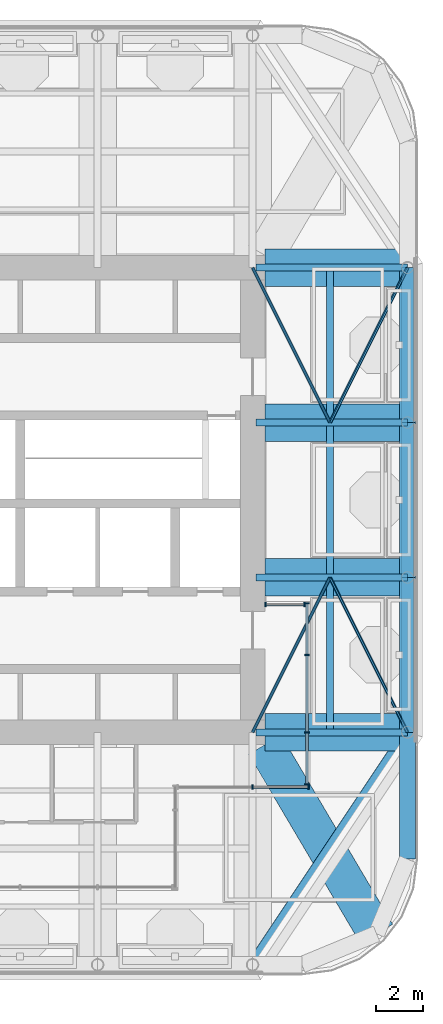
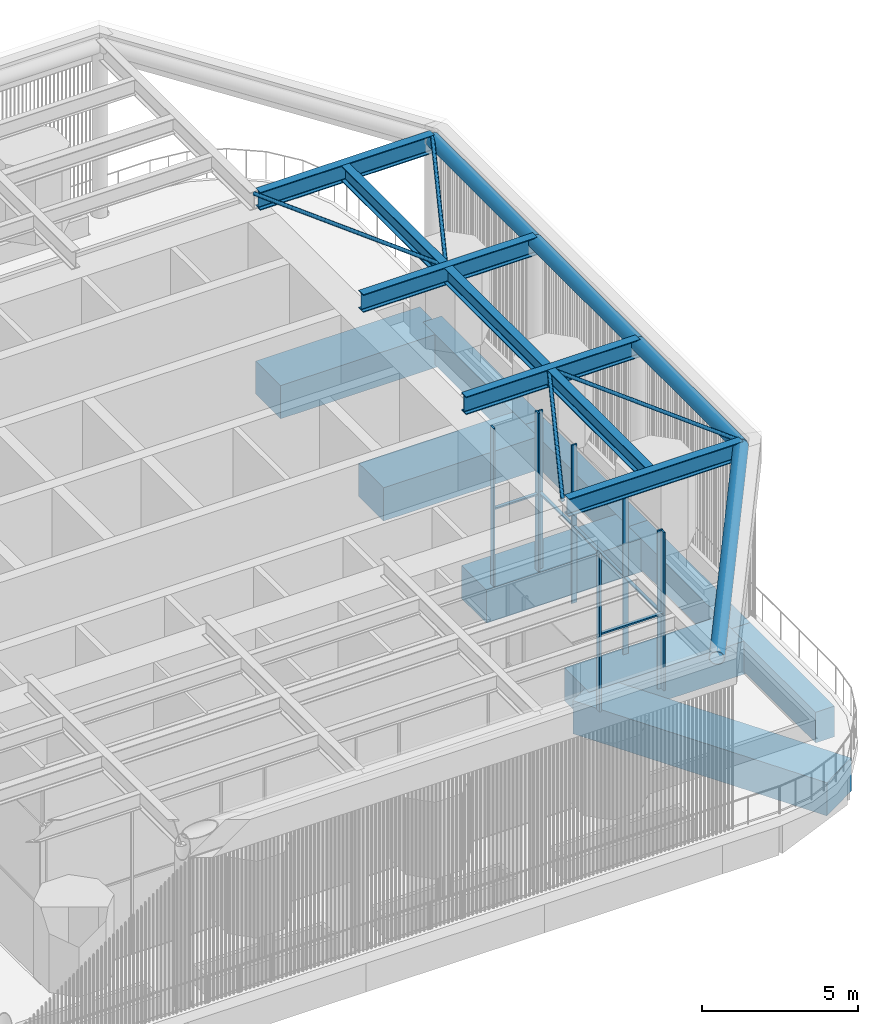
# One storey, part 4 of 22: 20 beams, 17 members, 3 elements without a shape of their own.
"""IFC4 building model written with IfcOpenShell, lengths in metres."""

from ifc_helpers import new_model, si_unit, direction, frame, origin, origin_2d, place, context, subcontext, project, spatial, rectangle, hollow_circle, i_section, extrude, material, material_profile, profile_set, type_object, element, aggregate, save


model = new_model("IFC4")

# Units and contexts
model_context = context("Model", 3, precision=1e-05, world=origin(), true_north=direction((0.0, 1.0)))
body_context = subcontext(model_context, "Body", "Model", "MODEL_VIEW")
ifc_project = project(units=[si_unit("LENGTHUNIT", "METRE"), si_unit("AREAUNIT", "SQUARE_METRE"), si_unit("VOLUMEUNIT", "CUBIC_METRE"), si_unit("PLANEANGLEUNIT", "RADIAN"), si_unit("MASSUNIT", "GRAM", prefix="KILO")], contexts=[model_context])

# Site, building, storey
site_placement = place(None, origin())
site = spatial("IfcSite", under=ifc_project, at=site_placement, CompositionType="ELEMENT")
building_placement = place(site_placement, origin())
building = spatial("IfcBuilding", under=site, at=building_placement, Name="Cobogo Forest Laboratory Tower", CompositionType="ELEMENT")
storey_placement = place(building_placement, frame((0.0, 0.0, 292.800048828125)))
storey = spatial("IfcBuildingStorey", under=building, at=storey_placement, Name="RF", CompositionType="ELEMENT", Elevation=292.800048828125)

# Beams
ifc_material_1 = material(Name="Steel S355", Category="steel")
ifc_material_profile_1 = material_profile(ifc_material_1, i_section(OverallWidth=0.300048828125, OverallDepth=0.699951171875, WebThickness=0.01708984375, FlangeThickness=0.031982421875, FilletRadius=0.027099609375, at=origin_2d()), Name="HEB 700")
ifc_profile_set_1 = profile_set([ifc_material_profile_1], Name="Steel S355")
beam_type_1 = type_object("IfcBeamType", Name="Crown frame girder HEB 700", PredefinedType="BEAM", material=ifc_profile_set_1)
for number, where, z_axis, x_axis, name in (
    (1, (39.75, 13.199951171875, 6.550048828125), (1.0, 0.0, 0.0), (0.0, 1.0, 0.0), "SG1 C-E"),
    (2, (39.75, 19.800048828125, 6.550048828125), (1.0, 0.0, 0.0), (0.0, 1.0, 0.0), "SG1 D-E"),
    (3, (39.75, 26.39990234375, 6.550048828125), (1.0, 0.0, 0.0), (0.0, 1.0, 0.0), "SG1 E-E"),
    (4, (39.75, 33.0, 6.550048828125), (1.0, 0.0, 0.0), (0.0, 1.0, 0.0), "SG1 F-E"),
):
    element("IfcBeam", number, at=place(storey_placement, frame(where, z_axis=z_axis, x_axis=x_axis)), inside=storey, type_object=beam_type_1, Name=name, PredefinedType="BEAM", context=body_context, shape_type="SweptSolid", body=[
        extrude(i_section(OverallWidth=0.300048828125, OverallDepth=0.699951171875, WebThickness=0.01708984375, FlangeThickness=0.031982421875, FilletRadius=0.027099609375, at=origin_2d()), origin(), (0.0, 0.0, 1.0), 6.449951171875),
    ])

# Members
ifc_material_profile_2 = material_profile(ifc_material_1, hollow_circle(Radius=0.06982421875, WallThickness=0.00634765625, at=origin_2d()), Name="CHS 139.7x6.3")
ifc_profile_set_2 = profile_set([ifc_material_profile_2], Name="Steel S355")
member_type_1 = type_object("IfcMemberType", Name="Crown frame plan brace CHS 139.7x6.3", PredefinedType="BRACE", material=ifc_profile_set_2)
member_1_placement = place(storey_placement, frame((46.199951171875, 13.199951171875, 6.830078125), z_axis=(-0.4472135955, 0.894427191, 0.0), x_axis=(-0.894427191, -0.4472135955, 0.0)))
element("IfcMember", 5, at=member_1_placement, inside=storey, type_object=member_type_1, Name="SX1 canopy brace E1-1", PredefinedType="BRACE", context=body_context, shape_type="SweptSolid", body=[
    extrude(hollow_circle(Radius=0.06982421875, WallThickness=0.00634765625, at=origin_2d()), origin(), (0.0, 0.0, 1.0), 7.379150390625),
])
member_2_placement = place(storey_placement, frame((39.60009765625, 13.199951171875, 6.830078125), z_axis=(0.447187126696, 0.894440424912, 0.0), x_axis=(-0.894440424912, 0.447187126696, 0.0)))
element("IfcMember", 6, at=member_2_placement, inside=storey, type_object=member_type_1, Name="SX1 canopy brace E1-2", PredefinedType="BRACE", context=body_context, shape_type="SweptSolid", body=[
    extrude(hollow_circle(Radius=0.06982421875, WallThickness=0.00634765625, at=origin_2d()), origin(), (0.0, 0.0, 1.0), 7.37890625),
])
member_3_placement = place(storey_placement, frame((46.199951171875, 33.0, 6.830078125), z_axis=(-0.4472135955, -0.894427191, 0.0), x_axis=(0.894427191, -0.4472135955, 0.0)))
element("IfcMember", 7, at=member_3_placement, inside=storey, type_object=member_type_1, Name="SX1 canopy brace E2-1", PredefinedType="BRACE", context=body_context, shape_type="SweptSolid", body=[
    extrude(hollow_circle(Radius=0.06982421875, WallThickness=0.00634765625, at=origin_2d()), origin(), (0.0, 0.0, 1.0), 7.379150390625),
])
member_4_placement = place(storey_placement, frame((39.60009765625, 33.0, 6.830078125), z_axis=(0.447187126696, -0.894440424912, 0.0), x_axis=(0.894440424912, 0.447187126696, 0.0)))
element("IfcMember", 8, at=member_4_placement, inside=storey, type_object=member_type_1, Name="SX1 canopy brace E2-2", PredefinedType="BRACE", context=body_context, shape_type="SweptSolid", body=[
    extrude(hollow_circle(Radius=0.06982421875, WallThickness=0.00634765625, at=origin_2d()), origin(), (0.0, 0.0, 1.0), 7.37890625),
])

# Beams
ifc_material_profile_3 = material_profile(ifc_material_1, i_section(OverallWidth=0.300048828125, OverallDepth=0.60009765625, WebThickness=0.015380859375, FlangeThickness=0.030029296875, FilletRadius=0.027099609375, at=origin_2d()), Name="HEB 600")
ifc_profile_set_3 = profile_set([ifc_material_profile_3], Name="Steel S355")
beam_type_2 = type_object("IfcBeamType", Name="Crown frame purlin HEB 600", PredefinedType="BEAM", material=ifc_profile_set_3)
beam_1_placement = place(storey_placement, frame((42.89990234375, 13.35009765625, 6.599853515625), z_axis=(0.0, 1.0, 0.0), x_axis=(-1.0, 0.0, 0.0)))
element("IfcBeam", 9, at=beam_1_placement, inside=storey, type_object=beam_type_2, Name="SP1 E1", PredefinedType="BEAM", context=body_context, shape_type="SweptSolid", body=[
    extrude(i_section(OverallWidth=0.300048828125, OverallDepth=0.60009765625, WebThickness=0.015380859375, FlangeThickness=0.030029296875, FilletRadius=0.027099609375, at=origin_2d()), origin(), (0.0, 0.0, 1.0), 6.2998046875),
])
for number, where, z_axis, x_axis, name in (
    (10, (42.89990234375, 19.949951171875, 6.599853515625), (0.0, 1.0, 0.0), (-1.0, 0.0, 0.0), "SP1 E2"),
    (11, (42.89990234375, 26.550048828125, 6.599853515625), (0.0, 1.0, 0.0), (-1.0, 0.0, 0.0), "SP1 E3"),
):
    element("IfcBeam", number, at=place(storey_placement, frame(where, z_axis=z_axis, x_axis=x_axis)), inside=storey, type_object=beam_type_2, Name=name, PredefinedType="BEAM", context=body_context, shape_type="SweptSolid", body=[
        extrude(i_section(OverallWidth=0.300048828125, OverallDepth=0.60009765625, WebThickness=0.015380859375, FlangeThickness=0.030029296875, FilletRadius=0.027099609375, at=origin_2d()), origin(), (0.0, 0.0, 1.0), 6.300048828125),
    ])
ifc_material_profile_4 = material_profile(ifc_material_1, hollow_circle(Radius=0.25390625, WallThickness=0.01611328125, at=origin_2d()), Name="CHS 508x16")
ifc_profile_set_4 = profile_set([ifc_material_profile_4], Name="Steel S355")
beam_type_3 = type_object("IfcBeamType", Name="Crown frame ring CHS 508x16", PredefinedType="BEAM", material=ifc_profile_set_4)
beam_2_placement = place(storey_placement, frame((46.199951171875, 13.199951171875, 6.64599609375), z_axis=(0.0, 1.0, 0.0), x_axis=(-1.0, 0.0, 0.0)))
element("IfcBeam", 12, at=beam_2_placement, inside=storey, type_object=beam_type_3, Name="SE1 E1", PredefinedType="BEAM", context=body_context, shape_type="SweptSolid", body=[
    extrude(hollow_circle(Radius=0.25390625, WallThickness=0.01611328125, at=origin_2d()), origin(), (0.0, 0.0, 1.0), 6.60009765625),
])
beam_3_placement = place(storey_placement, frame((46.199951171875, 19.800048828125, 6.64599609375), z_axis=(0.0, 1.0, 0.0), x_axis=(-1.0, 0.0, 0.0)))
element("IfcBeam", 13, at=beam_3_placement, inside=storey, type_object=beam_type_3, Name="SE1 E2", PredefinedType="BEAM", context=body_context, shape_type="SweptSolid", body=[
    extrude(hollow_circle(Radius=0.25390625, WallThickness=0.01611328125, at=origin_2d()), origin(), (0.0, 0.0, 1.0), 6.599853515625),
])
beam_4_placement = place(storey_placement, frame((46.199951171875, 26.39990234375, 6.64599609375), z_axis=(0.0, 1.0, 0.0), x_axis=(-1.0, 0.0, 0.0)))
element("IfcBeam", 14, at=beam_4_placement, inside=storey, type_object=beam_type_3, Name="SE1 E3", PredefinedType="BEAM", context=body_context, shape_type="SweptSolid", body=[
    extrude(hollow_circle(Radius=0.25390625, WallThickness=0.01611328125, at=origin_2d()), origin(), (0.0, 0.0, 1.0), 6.60009765625),
])
beam_5_placement = place(storey_placement, frame((39.60009765625, 3.300048828125, 6.64599609375), z_axis=(0.554695461017, 0.832053451124, 0.0), x_axis=(-0.832053451124, 0.554695461017, 0.0)))
element("IfcBeam", 15, at=beam_5_placement, inside=storey, type_object=beam_type_3, Name="SE1 SE", PredefinedType="BEAM", context=body_context, shape_type="SweptSolid", body=[
    extrude(hollow_circle(Radius=0.25390625, WallThickness=0.01611328125, at=origin_2d()), origin(), (0.0, 0.0, 1.0), 11.898193359375),
])

# Curtain wall, members
ifc_material_2 = material(Name="Aluminium curtain wall", Category="aluminium")
curtain_wall_type = type_object("IfcCurtainWallType", Name="CW-C stick curtain wall, crown glazing, conference floor and roof pavilion", PredefinedType="USERDEFINED", material=ifc_material_2)
curtain_wall_1_placement = place(storey_placement, origin())
curtain_wall_1 = element("IfcCurtainWall", 16, at=curtain_wall_1_placement, inside=storey, type_object=curtain_wall_type, Name="Curtain wall 05 RF", ObjectType="STICK CURTAIN WALL", PredefinedType="USERDEFINED")
ifc_material_3 = material(Name="Aluminium mullion", Category="aluminium")
ifc_material_profile_5 = material_profile(ifc_material_3, rectangle(XDim=0.06005859375, YDim=0.199951171875, at=origin_2d()), Name="AL 60x200")
ifc_profile_set_5 = profile_set([ifc_material_profile_5], Name="Aluminium mullion")
member_type_2 = type_object("IfcMemberType", Name="MU-2 aluminium mullion 60x200", PredefinedType="MULLION", material=ifc_profile_set_5)
member_5_placement = place(storey_placement, frame((39.60009765625, 10.875, 0.0), z_axis=(0.0, 0.0, 1.0), x_axis=(1.0, 0.0, 0.0)))
member_5 = element("IfcMember", 17, at=member_5_placement, type_object=member_type_2, Name="CW-C mullion 2", PredefinedType="MULLION", context=body_context, shape_type="SweptSolid", body=[
    extrude(rectangle(XDim=0.06005859375, YDim=0.199951171875, at=origin_2d()), origin(), (0.0, 0.0, 1.0), 6.199951171875),
])
member_6_placement = place(storey_placement, frame((41.97509765625, 10.875, 0.0), z_axis=(0.0, 0.0, 1.0), x_axis=(1.0, 0.0, 0.0)))
member_6 = element("IfcMember", 18, at=member_6_placement, type_object=member_type_2, Name="CW-C mullion 3", PredefinedType="MULLION", context=body_context, shape_type="SweptSolid", body=[
    extrude(rectangle(XDim=0.06005859375, YDim=0.199951171875, at=origin_2d()), origin(), (0.0, 0.0, 1.0), 6.199951171875),
])

curtain_wall_2_placement = place(storey_placement, origin())
curtain_wall_2 = element("IfcCurtainWall", 19, at=curtain_wall_2_placement, inside=storey, type_object=curtain_wall_type, Name="Curtain wall 06 RF", ObjectType="STICK CURTAIN WALL", PredefinedType="USERDEFINED")
member_7_placement = place(storey_placement, frame((41.925048828125, 10.985107421875, 0.0), z_axis=(0.0, 0.0, 1.0), x_axis=(0.0, 1.0, 0.0)))
member_7 = element("IfcMember", 20, at=member_7_placement, type_object=member_type_2, Name="CW-C mullion 1", PredefinedType="MULLION", context=body_context, shape_type="SweptSolid", body=[
    extrude(rectangle(XDim=0.06005859375, YDim=0.199951171875, at=origin_2d()), origin(), (0.0, 0.0, 1.0), 6.199951171875),
])
member_8_placement = place(storey_placement, frame((41.925048828125, 13.199951171875, 0.0), z_axis=(0.0, 0.0, 1.0), x_axis=(0.0, 1.0, 0.0)))
member_8 = element("IfcMember", 21, at=member_8_placement, type_object=member_type_2, Name="CW-C mullion 2", PredefinedType="MULLION", context=body_context, shape_type="SweptSolid", body=[
    extrude(rectangle(XDim=0.06005859375, YDim=0.199951171875, at=origin_2d()), origin(), (0.0, 0.0, 1.0), 6.199951171875),
])
member_9_placement = place(storey_placement, frame((41.925048828125, 16.5, 0.0), z_axis=(0.0, 0.0, 1.0), x_axis=(0.0, 1.0, 0.0)))
member_9 = element("IfcMember", 22, at=member_9_placement, type_object=member_type_2, Name="CW-C mullion 3", PredefinedType="MULLION", context=body_context, shape_type="SweptSolid", body=[
    extrude(rectangle(XDim=0.06005859375, YDim=0.199951171875, at=origin_2d()), origin(), (0.0, 0.0, 1.0), 6.199951171875),
])
member_10_placement = place(storey_placement, frame((41.925048828125, 18.699951171875, 0.0), z_axis=(0.0, 0.0, 1.0), x_axis=(0.0, 1.0, 0.0)))
member_10 = element("IfcMember", 23, at=member_10_placement, type_object=member_type_2, Name="CW-C mullion 4", PredefinedType="MULLION", context=body_context, shape_type="SweptSolid", body=[
    extrude(rectangle(XDim=0.06005859375, YDim=0.199951171875, at=origin_2d()), origin(), (0.0, 0.0, 1.0), 6.199951171875),
])

curtain_wall_3_placement = place(storey_placement, origin())
curtain_wall_3 = element("IfcCurtainWall", 24, at=curtain_wall_3_placement, inside=storey, type_object=curtain_wall_type, Name="Curtain wall 07 RF", ObjectType="STICK CURTAIN WALL", PredefinedType="USERDEFINED")
member_11_placement = place(storey_placement, frame((41.81494140625, 18.64990234375, 0.0), z_axis=(0.0, 0.0, 1.0), x_axis=(-1.0, 0.0, 0.0)))
member_11 = element("IfcMember", 25, at=member_11_placement, type_object=member_type_2, Name="CW-C mullion 1", PredefinedType="MULLION", context=body_context, shape_type="SweptSolid", body=[
    extrude(rectangle(XDim=0.06005859375, YDim=0.199951171875, at=origin_2d()), origin(), (0.0, 0.0, 1.0), 6.199951171875),
])
member_12_placement = place(storey_placement, frame((40.155029296875, 18.64990234375, 0.0), z_axis=(0.0, 0.0, 1.0), x_axis=(-1.0, 0.0, 0.0)))
member_12 = element("IfcMember", 26, at=member_12_placement, type_object=member_type_2, Name="CW-C mullion 2", PredefinedType="MULLION", context=body_context, shape_type="SweptSolid", body=[
    extrude(rectangle(XDim=0.06005859375, YDim=0.199951171875, at=origin_2d()), origin(), (0.0, 0.0, 1.0), 6.199951171875),
])

# Beams
ifc_material_4 = material(Name="Concrete HA-40 (C40/50)", Category="concrete")
ifc_material_profile_6 = material_profile(ifc_material_4, rectangle(XDim=0.699951171875, YDim=1.199951171875, at=origin_2d()), Name="RC 700x1200")
ifc_profile_set_6 = profile_set([ifc_material_profile_6], Name="Concrete HA-40 (C40/50)")
beam_type_4 = type_object("IfcBeamType", Name="Perimeter edge beam 700x1200", PredefinedType="BEAM", material=ifc_profile_set_6)
beam_6_placement = place(storey_placement, frame((46.199951171875, 13.199951171875, -1.0), z_axis=(0.0, 1.0, 0.0), x_axis=(-1.0, 0.0, 0.0)))
element("IfcBeam", 27, at=beam_6_placement, inside=storey, type_object=beam_type_4, Name="EB1 E-E1 RF", PredefinedType="BEAM", context=body_context, shape_type="SweptSolid", body=[
    extrude(rectangle(XDim=0.699951171875, YDim=1.199951171875, at=origin_2d()), origin(), (0.0, 0.0, 1.0), 6.60009765625),
])
beam_7_placement = place(storey_placement, frame((46.199951171875, 19.800048828125, -1.0), z_axis=(0.0, 1.0, 0.0), x_axis=(-1.0, 0.0, 0.0)))
element("IfcBeam", 28, at=beam_7_placement, inside=storey, type_object=beam_type_4, Name="EB1 E-E2 RF", PredefinedType="BEAM", context=body_context, shape_type="SweptSolid", body=[
    extrude(rectangle(XDim=0.699951171875, YDim=1.199951171875, at=origin_2d()), origin(), (0.0, 0.0, 1.0), 6.599853515625),
])
beam_8_placement = place(storey_placement, frame((46.199951171875, 26.39990234375, -1.0), z_axis=(0.0, 1.0, 0.0), x_axis=(-1.0, 0.0, 0.0)))
element("IfcBeam", 29, at=beam_8_placement, inside=storey, type_object=beam_type_4, Name="EB1 E-E3 RF", PredefinedType="BEAM", context=body_context, shape_type="SweptSolid", body=[
    extrude(rectangle(XDim=0.699951171875, YDim=1.199951171875, at=origin_2d()), origin(), (0.0, 0.0, 1.0), 6.60009765625),
])
beam_9_placement = place(storey_placement, frame((46.199951171875, 13.199951171875, -1.0), z_axis=(0.0, -1.0, 0.0), x_axis=(1.0, 0.0, 0.0)))
element("IfcBeam", 30, at=beam_9_placement, inside=storey, type_object=beam_type_4, Name="EB1 E-SEE1 RF", PredefinedType="BEAM", context=body_context, shape_type="SweptSolid", body=[
    extrude(rectangle(XDim=0.699951171875, YDim=1.199951171875, at=origin_2d()), origin(), (0.0, 0.0, 1.0), 5.39990234375),
])
ifc_material_profile_7 = material_profile(ifc_material_4, rectangle(XDim=1.60009765625, YDim=1.300048828125, at=origin_2d()), Name="RC 1600x1300")
ifc_profile_set_7 = profile_set([ifc_material_profile_7], Name="Concrete HA-40 (C40/50)")
beam_type_5 = type_object("IfcBeamType", Name="Plant and roof garden wide beam 1600x1300", PredefinedType="BEAM", material=ifc_profile_set_7)
for number, where, z_axis, x_axis, name in (
    (31, (40.125, 13.199951171875, -1.050048828125), (1.0, 0.0, 0.0), (0.0, 1.0, 0.0), "RB4 R-C-E RF"),
    (32, (40.125, 19.800048828125, -1.050048828125), (1.0, 0.0, 0.0), (0.0, 1.0, 0.0), "RB4 R-D-E RF"),
    (33, (40.125, 26.39990234375, -1.050048828125), (1.0, 0.0, 0.0), (0.0, 1.0, 0.0), "RB4 R-E-E RF"),
    (34, (40.125, 33.0, -1.050048828125), (1.0, 0.0, 0.0), (0.0, 1.0, 0.0), "RB4 R-F-E RF"),
):
    element("IfcBeam", number, at=place(storey_placement, frame(where, z_axis=z_axis, x_axis=x_axis)), inside=storey, type_object=beam_type_5, Name=name, PredefinedType="BEAM", context=body_context, shape_type="SweptSolid", body=[
        extrude(rectangle(XDim=1.60009765625, YDim=1.300048828125, at=origin_2d()), origin(), (0.0, 0.0, 1.0), 6.074951171875),
    ])
beam_10_placement = place(storey_placement, frame((44.882080078125, 4.617919921875, -1.050048828125), z_axis=(-0.508416325908, 0.861111397875, 0.0), x_axis=(-0.861111397875, -0.508416325908, 0.0)))
element("IfcBeam", 35, at=beam_10_placement, inside=storey, type_object=beam_type_5, Name="RB4 G-SE-D1 RF", PredefinedType="BEAM", context=body_context, shape_type="SweptSolid", body=[
    extrude(rectangle(XDim=1.60009765625, YDim=1.300048828125, at=origin_2d()), origin(), (0.0, 0.0, 1.0), 9.356689453125),
])

# Member
ifc_material_5 = material(Name="Aluminium transom", Category="aluminium")
ifc_material_profile_8 = material_profile(ifc_material_5, rectangle(XDim=0.1201171875, YDim=0.06005859375, at=origin_2d()), Name="AL 60x120")
ifc_profile_set_8 = profile_set([ifc_material_profile_8], Name="Aluminium transom")
member_type_3 = type_object("IfcMemberType", Name="TR-1 aluminium transom 60x120", PredefinedType="USERDEFINED", material=ifc_profile_set_8)
member_13_placement = place(storey_placement, frame((39.6298828125, 10.875, 3.0), z_axis=(1.0, 0.0, 0.0), x_axis=(0.0, 1.0, 0.0)))
member_13 = element("IfcMember", 36, at=member_13_placement, type_object=member_type_3, Name="CW-C transom 2.1", ObjectType="TRANSOM", PredefinedType="USERDEFINED", context=body_context, shape_type="SweptSolid", body=[
    extrude(rectangle(XDim=0.1201171875, YDim=0.06005859375, at=origin_2d()), origin(), (0.0, 0.0, 1.0), 2.315185546875),
])

aggregate(curtain_wall_1, [member_5, member_6, member_13])

member_14_placement = place(storey_placement, frame((41.925048828125, 11.014892578125, 3.0), z_axis=(0.0, 1.0, 0.0), x_axis=(-1.0, 0.0, 0.0)))
member_14 = element("IfcMember", 37, at=member_14_placement, type_object=member_type_3, Name="CW-C transom 1.1", ObjectType="TRANSOM", PredefinedType="USERDEFINED", context=body_context, shape_type="SweptSolid", body=[
    extrude(rectangle(XDim=0.1201171875, YDim=0.06005859375, at=origin_2d()), origin(), (0.0, 0.0, 1.0), 2.155029296875),
])

member_15_placement = place(storey_placement, frame((41.925048828125, 13.22998046875, 3.0), z_axis=(0.0, 1.0, 0.0), x_axis=(-1.0, 0.0, 0.0)))
member_15 = element("IfcMember", 38, at=member_15_placement, type_object=member_type_3, Name="CW-C transom 2.1", ObjectType="TRANSOM", PredefinedType="USERDEFINED", context=body_context, shape_type="SweptSolid", body=[
    extrude(rectangle(XDim=0.1201171875, YDim=0.06005859375, at=origin_2d()), origin(), (0.0, 0.0, 1.0), 3.239990234375),
])

member_16_placement = place(storey_placement, frame((41.925048828125, 16.530029296875, 3.0), z_axis=(0.0, 1.0, 0.0), x_axis=(-1.0, 0.0, 0.0)))
member_16 = element("IfcMember", 39, at=member_16_placement, type_object=member_type_3, Name="CW-C transom 3.1", ObjectType="TRANSOM", PredefinedType="USERDEFINED", context=body_context, shape_type="SweptSolid", body=[
    extrude(rectangle(XDim=0.1201171875, YDim=0.06005859375, at=origin_2d()), origin(), (0.0, 0.0, 1.0), 2.139892578125),
])

aggregate(curtain_wall_2, [member_7, member_8, member_9, member_10, member_14, member_15, member_16])

member_17_placement = place(storey_placement, frame((41.784912109375, 18.64990234375, 3.0), z_axis=(-1.0, 0.0, 0.0), x_axis=(0.0, -1.0, 0.0)))
member_17 = element("IfcMember", 40, at=member_17_placement, type_object=member_type_3, Name="CW-C transom 1.1", ObjectType="TRANSOM", PredefinedType="USERDEFINED", context=body_context, shape_type="SweptSolid", body=[
    extrude(rectangle(XDim=0.1201171875, YDim=0.06005859375, at=origin_2d()), origin(), (0.0, 0.0, 1.0), 1.599853515625),
])

aggregate(curtain_wall_3, [member_11, member_12, member_17])

save(model, "model.ifc")
